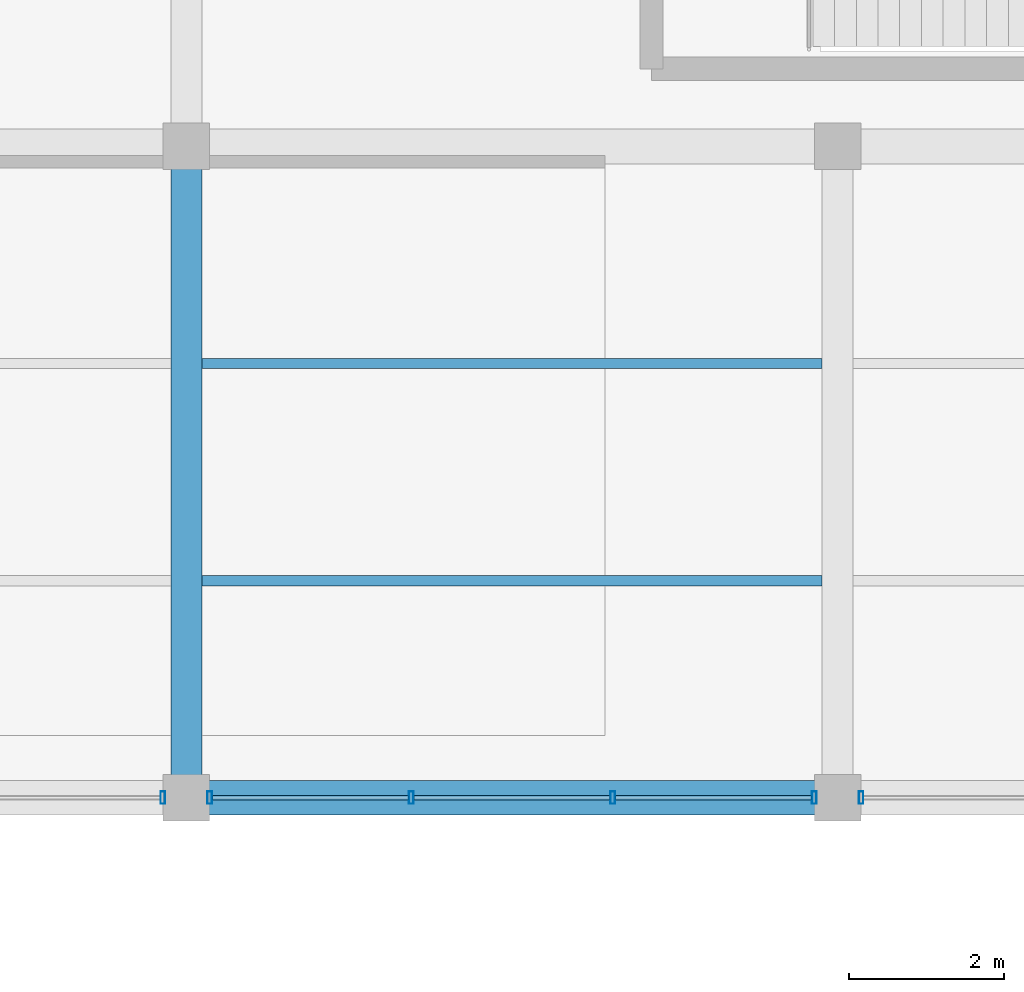
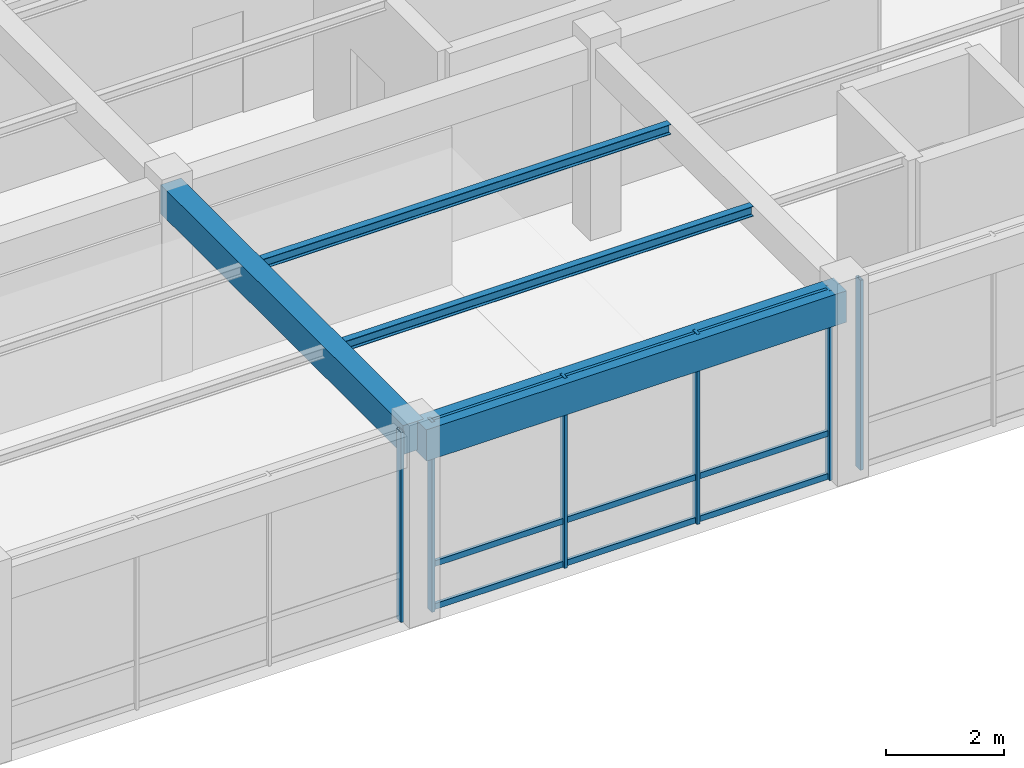
# One storey, part 17 of 114: 15 members, 4 beams, 3 elements without a shape of their own.
"""IFC4 building model written with IfcOpenShell, lengths in metres."""

from ifc_helpers import new_model, si_unit, direction, frame, origin, origin_2d, place, context, subcontext, project, spatial, rectangle, hollow_rectangle, i_section, extrude, material, material_profile, profile_set, type_object, element, aggregate, save


model = new_model("IFC4")

# Units and contexts
model_context = context("Model", 3, precision=1e-05, world=origin(), true_north=direction((0.0, 1.0)))
body_context = subcontext(model_context, "Body", "Model", "MODEL_VIEW")
ifc_project = project(units=[si_unit("LENGTHUNIT", "METRE"), si_unit("AREAUNIT", "SQUARE_METRE"), si_unit("VOLUMEUNIT", "CUBIC_METRE"), si_unit("PLANEANGLEUNIT", "RADIAN"), si_unit("MASSUNIT", "GRAM", prefix="KILO"), si_unit("THERMODYNAMICTEMPERATUREUNIT", "KELVIN"), si_unit("POWERUNIT", "WATT")], contexts=[model_context])

# Site, building, storey
site_placement = place(None, origin())
site = spatial("IfcSite", under=ifc_project, at=site_placement, CompositionType="ELEMENT")
building_placement = place(site_placement, origin())
building = spatial("IfcBuilding", under=site, at=building_placement, Name="Darbajah Civic Hall", CompositionType="ELEMENT")
storey_placement = place(building_placement, frame((0.0, 0.0, 13.800048828125)))
storey = spatial("IfcBuildingStorey", under=building, at=storey_placement, Name="L03", CompositionType="ELEMENT", Elevation=13.800048828125)

# Curtain wall, member
ifc_material_1 = material(Name="Anodised Bronze Aluminium and Low-E Glazing", Category="aluminium")
curtain_wall_type = type_object("IfcCurtainWallType", Name="Unitised Curtain Wall CW-100 7800x3950", PredefinedType="USERDEFINED", material=ifc_material_1)
curtain_wall_1_placement = place(storey_placement, origin())
curtain_wall_1 = element("IfcCurtainWall", 1, at=curtain_wall_1_placement, inside=storey, type_object=curtain_wall_type, Name="L03 unitised curtain wall CW-V5-L03-S2-B1", ObjectType="UNITISED CURTAIN WALL", PredefinedType="USERDEFINED")
ifc_material_2 = material(Name="Anodised Bronze Aluminium", Category="aluminium")
ifc_material_profile_1 = material_profile(ifc_material_2, hollow_rectangle(XDim=0.06005859375, YDim=0.159912109375, WallThickness=0.00341796875, at=origin_2d()), Name="ALU MULLION 60x160")
ifc_profile_set_1 = profile_set([ifc_material_profile_1], Name="Anodised Bronze Aluminium")
member_type_1 = type_object("IfcMemberType", Name="ALU MULLION 60x160", PredefinedType="MULLION", material=ifc_profile_set_1)
member_1_placement = place(storey_placement, frame((33.298095703125, 16.800048828125, 0.0), z_axis=(0.0, 0.0, 1.0), x_axis=(1.0, 0.0, 0.0)))
member_1 = element("IfcMember", 2, at=member_1_placement, type_object=member_type_1, Name="CW-V5-L03-S2-B1 mullion 4", PredefinedType="MULLION", context=body_context, shape_type="SweptSolid", body=[
    extrude(hollow_rectangle(XDim=0.06005859375, YDim=0.159912109375, WallThickness=0.00341796875, at=origin_2d()), origin(), (0.0, 0.0, 1.0), 3.93994140625),
])
aggregate(curtain_wall_1, [member_1])

# Curtain wall, members
curtain_wall_2_placement = place(storey_placement, origin())
curtain_wall_2 = element("IfcCurtainWall", 3, at=curtain_wall_2_placement, inside=storey, type_object=curtain_wall_type, Name="L03 unitised curtain wall CW-V5-L03-S2-B2", ObjectType="UNITISED CURTAIN WALL", PredefinedType="USERDEFINED")
member_2_placement = place(storey_placement, frame((33.902099609375, 16.800048828125, 0.0), z_axis=(0.0, 0.0, 1.0), x_axis=(1.0, 0.0, 0.0)))
member_2 = element("IfcMember", 4, at=member_2_placement, type_object=member_type_1, Name="CW-V5-L03-S2-B2 mullion 1", PredefinedType="MULLION", context=body_context, shape_type="SweptSolid", body=[
    extrude(hollow_rectangle(XDim=0.06005859375, YDim=0.159912109375, WallThickness=0.00341796875, at=origin_2d()), origin(), (0.0, 0.0, 1.0), 3.93994140625),
])
member_3_placement = place(storey_placement, frame((36.500732421875, 16.800048828125, 0.0), z_axis=(0.0, 0.0, 1.0), x_axis=(1.0, 0.0, 0.0)))
member_3 = element("IfcMember", 5, at=member_3_placement, type_object=member_type_1, Name="CW-V5-L03-S2-B2 mullion 2", PredefinedType="MULLION", context=body_context, shape_type="SweptSolid", body=[
    extrude(hollow_rectangle(XDim=0.06005859375, YDim=0.159912109375, WallThickness=0.00341796875, at=origin_2d()), origin(), (0.0, 0.0, 1.0), 3.93994140625),
])
member_4_placement = place(storey_placement, frame((39.099365234375, 16.800048828125, 0.0), z_axis=(0.0, 0.0, 1.0), x_axis=(1.0, 0.0, 0.0)))
member_4 = element("IfcMember", 6, at=member_4_placement, type_object=member_type_1, Name="CW-V5-L03-S2-B2 mullion 3", PredefinedType="MULLION", context=body_context, shape_type="SweptSolid", body=[
    extrude(hollow_rectangle(XDim=0.06005859375, YDim=0.159912109375, WallThickness=0.00341796875, at=origin_2d()), origin(), (0.0, 0.0, 1.0), 3.93994140625),
])
member_5_placement = place(storey_placement, frame((41.697998046875, 16.800048828125, 0.0), z_axis=(0.0, 0.0, 1.0), x_axis=(1.0, 0.0, 0.0)))
member_5 = element("IfcMember", 7, at=member_5_placement, type_object=member_type_1, Name="CW-V5-L03-S2-B2 mullion 4", PredefinedType="MULLION", context=body_context, shape_type="SweptSolid", body=[
    extrude(hollow_rectangle(XDim=0.06005859375, YDim=0.159912109375, WallThickness=0.00341796875, at=origin_2d()), origin(), (0.0, 0.0, 1.0), 3.93994140625),
])

# Curtain wall, member
curtain_wall_3_placement = place(storey_placement, origin())
curtain_wall_3 = element("IfcCurtainWall", 8, at=curtain_wall_3_placement, inside=storey, type_object=curtain_wall_type, Name="L03 unitised curtain wall CW-V5-L03-S2-B3", ObjectType="UNITISED CURTAIN WALL", PredefinedType="USERDEFINED")
member_6_placement = place(storey_placement, frame((42.302001953125, 16.800048828125, 0.0), z_axis=(0.0, 0.0, 1.0), x_axis=(1.0, 0.0, 0.0)))
member_6 = element("IfcMember", 9, at=member_6_placement, type_object=member_type_1, Name="CW-V5-L03-S2-B3 mullion 1", PredefinedType="MULLION", context=body_context, shape_type="SweptSolid", body=[
    extrude(hollow_rectangle(XDim=0.06005859375, YDim=0.159912109375, WallThickness=0.00341796875, at=origin_2d()), origin(), (0.0, 0.0, 1.0), 3.93994140625),
])
aggregate(curtain_wall_3, [member_6])

# Member
ifc_material_profile_2 = material_profile(ifc_material_2, hollow_rectangle(XDim=0.06005859375, YDim=0.1201171875, WallThickness=0.003173828125, at=origin_2d()), Name="ALU TRANSOM 60x120")
ifc_profile_set_2 = profile_set([ifc_material_profile_2], Name="Anodised Bronze Aluminium")
member_type_2 = type_object("IfcMemberType", Name="ALU TRANSOM 60x120", PredefinedType="USERDEFINED", material=ifc_profile_set_2)
member_7_placement = place(storey_placement, frame((33.93701171875, 16.800048828125, 0.06005859375), z_axis=(1.0, 0.0, 0.0), x_axis=(0.0, 1.0, 0.0)))
member_7 = element("IfcMember", 10, at=member_7_placement, type_object=member_type_2, Name="CW-V5-L03-S2-B2 transom 1.1", ObjectType="TRANSOM", PredefinedType="USERDEFINED", context=body_context, shape_type="SweptSolid", body=[
    extrude(hollow_rectangle(XDim=0.06005859375, YDim=0.1201171875, WallThickness=0.003173828125, at=origin_2d()), origin(), (0.0, 0.0, 1.0), 2.52880859375),
])

member_8_placement = place(storey_placement, frame((33.93701171875, 16.800048828125, 0.949951171875), z_axis=(1.0, 0.0, 0.0), x_axis=(0.0, 1.0, 0.0)))
member_8 = element("IfcMember", 11, at=member_8_placement, type_object=member_type_2, Name="CW-V5-L03-S2-B2 transom 1.2", ObjectType="TRANSOM", PredefinedType="USERDEFINED", context=body_context, shape_type="SweptSolid", body=[
    extrude(hollow_rectangle(XDim=0.06005859375, YDim=0.1201171875, WallThickness=0.003173828125, at=origin_2d()), origin(), (0.0, 0.0, 1.0), 2.52880859375),
])

member_9_placement = place(storey_placement, frame((33.93701171875, 16.800048828125, 3.8798828125), z_axis=(1.0, 0.0, 0.0), x_axis=(0.0, 1.0, 0.0)))
member_9 = element("IfcMember", 12, at=member_9_placement, type_object=member_type_2, Name="CW-V5-L03-S2-B2 transom 1.3", ObjectType="TRANSOM", PredefinedType="USERDEFINED", context=body_context, shape_type="SweptSolid", body=[
    extrude(hollow_rectangle(XDim=0.06005859375, YDim=0.1201171875, WallThickness=0.003173828125, at=origin_2d()), origin(), (0.0, 0.0, 1.0), 2.52880859375),
])

member_10_placement = place(storey_placement, frame((36.53564453125, 16.800048828125, 0.06005859375), z_axis=(1.0, 0.0, 0.0), x_axis=(0.0, 1.0, 0.0)))
member_10 = element("IfcMember", 13, at=member_10_placement, type_object=member_type_2, Name="CW-V5-L03-S2-B2 transom 2.1", ObjectType="TRANSOM", PredefinedType="USERDEFINED", context=body_context, shape_type="SweptSolid", body=[
    extrude(hollow_rectangle(XDim=0.06005859375, YDim=0.1201171875, WallThickness=0.003173828125, at=origin_2d()), origin(), (0.0, 0.0, 1.0), 2.528564453125),
])

member_11_placement = place(storey_placement, frame((36.53564453125, 16.800048828125, 0.949951171875), z_axis=(1.0, 0.0, 0.0), x_axis=(0.0, 1.0, 0.0)))
member_11 = element("IfcMember", 14, at=member_11_placement, type_object=member_type_2, Name="CW-V5-L03-S2-B2 transom 2.2", ObjectType="TRANSOM", PredefinedType="USERDEFINED", context=body_context, shape_type="SweptSolid", body=[
    extrude(hollow_rectangle(XDim=0.06005859375, YDim=0.1201171875, WallThickness=0.003173828125, at=origin_2d()), origin(), (0.0, 0.0, 1.0), 2.528564453125),
])

member_12_placement = place(storey_placement, frame((36.53564453125, 16.800048828125, 3.8798828125), z_axis=(1.0, 0.0, 0.0), x_axis=(0.0, 1.0, 0.0)))
member_12 = element("IfcMember", 15, at=member_12_placement, type_object=member_type_2, Name="CW-V5-L03-S2-B2 transom 2.3", ObjectType="TRANSOM", PredefinedType="USERDEFINED", context=body_context, shape_type="SweptSolid", body=[
    extrude(hollow_rectangle(XDim=0.06005859375, YDim=0.1201171875, WallThickness=0.003173828125, at=origin_2d()), origin(), (0.0, 0.0, 1.0), 2.528564453125),
])

member_13_placement = place(storey_placement, frame((39.13427734375, 16.800048828125, 0.06005859375), z_axis=(1.0, 0.0, 0.0), x_axis=(0.0, 1.0, 0.0)))
member_13 = element("IfcMember", 16, at=member_13_placement, type_object=member_type_2, Name="CW-V5-L03-S2-B2 transom 3.1", ObjectType="TRANSOM", PredefinedType="USERDEFINED", context=body_context, shape_type="SweptSolid", body=[
    extrude(hollow_rectangle(XDim=0.06005859375, YDim=0.1201171875, WallThickness=0.003173828125, at=origin_2d()), origin(), (0.0, 0.0, 1.0), 2.52880859375),
])

member_14_placement = place(storey_placement, frame((39.13427734375, 16.800048828125, 0.949951171875), z_axis=(1.0, 0.0, 0.0), x_axis=(0.0, 1.0, 0.0)))
member_14 = element("IfcMember", 17, at=member_14_placement, type_object=member_type_2, Name="CW-V5-L03-S2-B2 transom 3.2", ObjectType="TRANSOM", PredefinedType="USERDEFINED", context=body_context, shape_type="SweptSolid", body=[
    extrude(hollow_rectangle(XDim=0.06005859375, YDim=0.1201171875, WallThickness=0.003173828125, at=origin_2d()), origin(), (0.0, 0.0, 1.0), 2.52880859375),
])

member_15_placement = place(storey_placement, frame((39.13427734375, 16.800048828125, 3.8798828125), z_axis=(1.0, 0.0, 0.0), x_axis=(0.0, 1.0, 0.0)))
member_15 = element("IfcMember", 18, at=member_15_placement, type_object=member_type_2, Name="CW-V5-L03-S2-B2 transom 3.3", ObjectType="TRANSOM", PredefinedType="USERDEFINED", context=body_context, shape_type="SweptSolid", body=[
    extrude(hollow_rectangle(XDim=0.06005859375, YDim=0.1201171875, WallThickness=0.003173828125, at=origin_2d()), origin(), (0.0, 0.0, 1.0), 2.52880859375),
])

aggregate(curtain_wall_2, [member_2, member_3, member_4, member_5, member_7, member_8, member_9, member_10, member_11, member_12, member_13, member_14, member_15])

# Beams
ifc_material_3 = material(Name="Concrete C45/55", Category="concrete")
ifc_material_profile_3 = material_profile(ifc_material_3, rectangle(XDim=0.39990234375, YDim=0.60009765625, at=origin_2d()), Name="RC BEAM 400x600")
ifc_profile_set_3 = profile_set([ifc_material_profile_3], Name="Concrete C45/55")
beam_type_1 = type_object("IfcBeamType", Name="RC BEAM 400x600", PredefinedType="BEAM", material=ifc_profile_set_3)
beam_1_placement = place(storey_placement, frame((33.60009765625, 16.8798828125, 3.639892578125), z_axis=(0.0, 1.0, 0.0), x_axis=(-1.0, 0.0, 0.0)))
element("IfcBeam", 19, at=beam_1_placement, inside=storey, type_object=beam_type_1, Name="L03 beam BM-4060", PredefinedType="BEAM", context=body_context, shape_type="SweptSolid", body=[
    extrude(rectangle(XDim=0.39990234375, YDim=0.60009765625, at=origin_2d()), origin(), (0.0, 0.0, 1.0), 8.240234375),
])
ifc_material_profile_4 = material_profile(ifc_material_3, rectangle(XDim=0.449951171875, YDim=0.64990234375, at=origin_2d()), Name="RC BEAM 450x650")
ifc_profile_set_4 = profile_set([ifc_material_profile_4], Name="Concrete C45/55")
beam_type_2 = type_object("IfcBeamType", Name="RC BEAM 450x650", PredefinedType="BEAM", material=ifc_profile_set_4)
beam_2_placement = place(storey_placement, frame((33.679931640625, 16.800048828125, 3.614990234375), z_axis=(1.0, 0.0, 0.0), x_axis=(0.0, 1.0, 0.0)))
element("IfcBeam", 20, at=beam_2_placement, inside=storey, type_object=beam_type_2, Name="L03 beam BM-4565", PredefinedType="BEAM", context=body_context, shape_type="SweptSolid", body=[
    extrude(rectangle(XDim=0.449951171875, YDim=0.64990234375, at=origin_2d()), origin(), (0.0, 0.0, 1.0), 8.239990234375),
])
ifc_material_4 = material(Name="Steel S355JR", Category="steel")
ifc_material_profile_5 = material_profile(ifc_material_4, i_section(OverallWidth=0.1337890625, OverallDepth=0.206787109375, WebThickness=0.00634765625, FlangeThickness=0.009521484375, FilletRadius=0.007568359375, at=origin_2d()), Name="UB 203x133x30")
ifc_profile_set_5 = profile_set([ifc_material_profile_5], Name="Steel S355JR")
beam_type_3 = type_object("IfcBeamType", Name="UB 203x133x30", PredefinedType="JOIST", material=ifc_profile_set_5)
for number, where, z_axis, x_axis, name in (
    (21, (33.800048828125, 19.60009765625, 3.836669921875), (1.0, 0.0, 0.0), (0.0, 1.0, 0.0), "L03 beam SJ-203"),
    (22, (33.800048828125, 22.39990234375, 3.836669921875), (1.0, 0.0, 0.0), (0.0, 1.0, 0.0), "L03 beam SJ-203"),
):
    element("IfcBeam", number, at=place(storey_placement, frame(where, z_axis=z_axis, x_axis=x_axis)), inside=storey, type_object=beam_type_3, Name=name, PredefinedType="JOIST", context=body_context, shape_type="SweptSolid", body=[
        extrude(i_section(OverallWidth=0.1337890625, OverallDepth=0.206787109375, WebThickness=0.00634765625, FlangeThickness=0.009521484375, FilletRadius=0.007568359375, at=origin_2d()), origin(), (0.0, 0.0, 1.0), 8.0),
    ])

save(model, "model.ifc")
